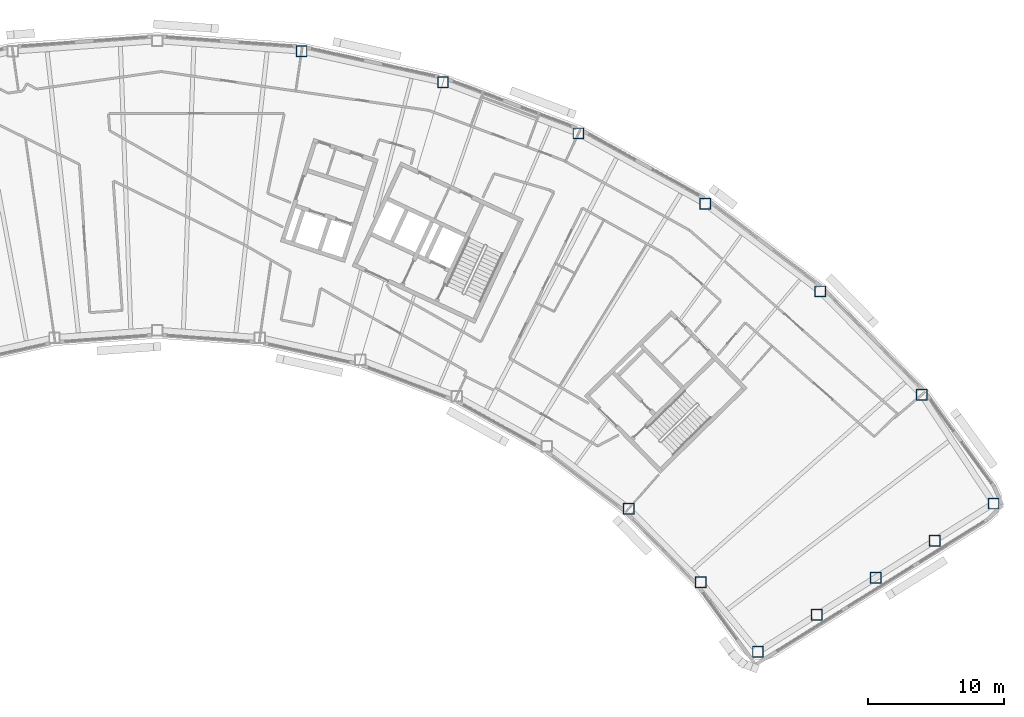
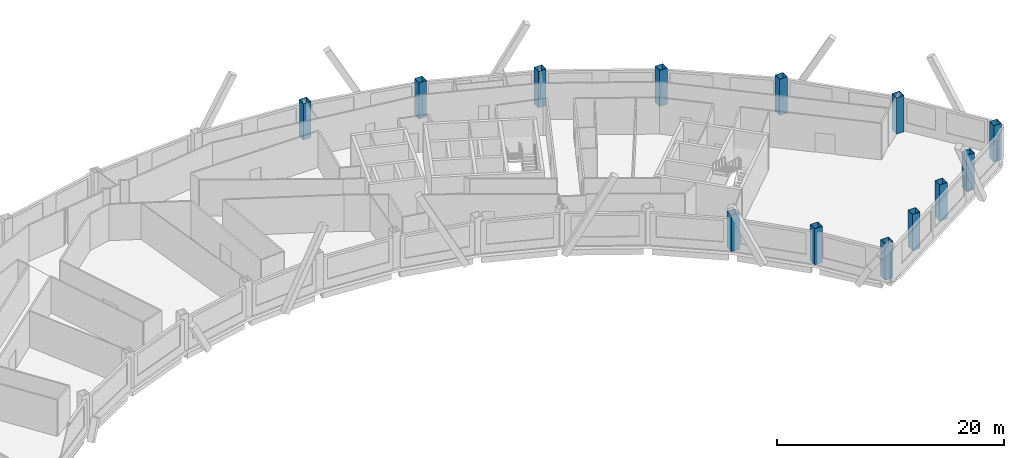
# One storey, part 2 of 14: 13 columns.
"""IFC4 building model written with IfcOpenShell, lengths in metres."""

import ifcopenshell
import ifcopenshell.guid

model = None  # the IFC model being written
_history = None  # IfcOwnerHistory: only IFC2X3 demands one
_inside = {}  # id of a spatial element -> (the spatial element, [elements in it])
_under = {}  # id of a project, library or spatial element -> (it, [spatial elements below it])
_declared = {}  # id of a project -> (the project, [libraries it declares])
_typed = {}  # id of a type object -> (the type object, [elements of that type])
_made_of = {}  # id of a material, layer set ... -> (it, [elements and type objects made of it])


def new_model(schema):
    """Start an empty IFC model of exactly this schema.

    Asked for "IFC4X3", IfcOpenShell would pick the latest addendum, in which some entities
    have other attributes; the version numbers below select the first issue.
    IFC2X3 requires an IfcOwnerHistory on every rooted entity: one is made here for all.
    """
    global model, _history
    if schema == "IFC4X3":
        model = ifcopenshell.file(schema_version=(4, 3, 0, 0))
    else:
        model = ifcopenshell.file(schema=schema)
    _inside.clear()
    _under.clear()
    _declared.clear()
    _typed.clear()
    _made_of.clear()
    _history = None
    if model.schema == "IFC2X3":
        org = make("IfcOrganization", Name="unknown")
        user = make(
            "IfcPersonAndOrganization",
            ThePerson=make("IfcPerson", FamilyName="unknown"),
            TheOrganization=org,
        )
        app = make(
            "IfcApplication",
            ApplicationDeveloper=org,
            Version="unknown",
            ApplicationFullName="unknown",
            ApplicationIdentifier="unknown",
        )
        _history = make(
            "IfcOwnerHistory",
            OwningUser=user,
            OwningApplication=app,
            ChangeAction="ADDED",
            CreationDate=0,
        )
    return model


def make(cls, **values):
    """One entity of the class cls with the attributes given. An attribute that is None is left unset."""
    return model.create_entity(
        cls, **{name: value for name, value in values.items() if value is not None}
    )


def rooted(cls, **values):
    """An entity with a GlobalId (a new one), such as an element, a storey or a relation."""
    return make(cls, GlobalId=ifcopenshell.guid.new(), OwnerHistory=_history, **values)


def si_unit(unit_type, name, prefix=None):
    """IfcSIUnit, for example si_unit("LENGTHUNIT", "METRE", prefix="MILLI")."""
    return make("IfcSIUnit", UnitType=unit_type, Prefix=prefix, Name=name)


def assignment(units):
    """IfcUnitAssignment: the units of a project."""
    return None if units is None else make("IfcUnitAssignment", Units=units)


def point(xyz):
    """IfcCartesianPoint."""
    return None if xyz is None else make("IfcCartesianPoint", Coordinates=xyz)


def direction(xyz):
    """IfcDirection."""
    return None if xyz is None else make("IfcDirection", DirectionRatios=xyz)


def frame(location, z_axis=None, x_axis=None):
    """IfcAxis2Placement3D, a coordinate frame: its origin and axes. An axis left out is left unset."""
    return make(
        "IfcAxis2Placement3D",
        Location=point(location),
        Axis=direction(z_axis),
        RefDirection=direction(x_axis),
    )


def frame_2d(location, x_axis=None):
    """IfcAxis2Placement2D, a coordinate frame in the plane: its origin and x axis."""
    return make(
        "IfcAxis2Placement2D", Location=point(location), RefDirection=direction(x_axis)
    )


def origin():
    """The frame at (0, 0, 0) with its axes left unset."""
    return frame((0.0, 0.0, 0.0))


def origin_2d():
    """The frame at (0, 0) in the plane with its x axis left unset."""
    return frame_2d((0.0, 0.0))


def place(relative_to, where):
    """IfcLocalPlacement: puts the frame where relative to a parent placement (None: the world)."""
    return make(
        "IfcLocalPlacement", PlacementRelTo=relative_to, RelativePlacement=where
    )


def context(
    kind, dimensions, precision=None, world=None, true_north=None, identifier=None
):
    """IfcGeometricRepresentationContext, for example the 3D "Model" context."""
    return make(
        "IfcGeometricRepresentationContext",
        ContextIdentifier=identifier,
        ContextType=kind,
        CoordinateSpaceDimension=dimensions,
        Precision=precision,
        WorldCoordinateSystem=world,
        TrueNorth=true_north,
    )


def subcontext(parent, identifier, kind, view, scale=None):
    """IfcGeometricRepresentationSubContext, for example "Body" below "Model"."""
    return make(
        "IfcGeometricRepresentationSubContext",
        ContextIdentifier=identifier,
        ContextType=kind,
        ParentContext=parent,
        TargetScale=scale,
        TargetView=view,
    )


def project(units=None, contexts=None):
    """IfcProject with its units and contexts."""
    return rooted(
        "IfcProject",
        Name="project",
        RepresentationContexts=contexts,
        UnitsInContext=assignment(units),
    )


def spatial(cls, under=None, at=None, **own):
    """A site, building, storey or space (cls), placed at a placement, below another one or the project."""
    s = rooted(cls, ObjectPlacement=at, **own)
    if under is not None:
        _under.setdefault(under.id(), (under, []))[1].append(s)
    return s


def profile(cls, at=None, kind="AREA", **sizes):
    """A parametric profile (cls). Its sizes go by their IFC names, for example OverallWidth=200.0."""
    return make(cls, ProfileType=kind, Position=at, **sizes)


def hollow_rectangle(**sizes):
    """IfcRectangleHollowProfileDef."""
    return profile("IfcRectangleHollowProfileDef", **sizes)


def extrude(swept, where, along, depth):
    """IfcExtrudedAreaSolid: the profile swept, set in the frame where, extruded along a direction by depth."""
    return make(
        "IfcExtrudedAreaSolid",
        SweptArea=swept,
        Position=where,
        ExtrudedDirection=direction(along),
        Depth=depth,
    )


def shape(context_of_items, identifier, shape_type, items):
    """IfcShapeRepresentation: the items that make up one representation, for example the "Body"."""
    return make(
        "IfcShapeRepresentation",
        ContextOfItems=context_of_items,
        RepresentationIdentifier=identifier,
        RepresentationType=shape_type,
        Items=items,
    )


def material(Name=None, Category=None):
    """IfcMaterial."""
    return make("IfcMaterial", Name=Name, Category=Category)


def material_profile(
    of_material, cross_section, Name=None, Category=None, Priority=None
):
    """IfcMaterialProfile: a cross section and its material."""
    return make(
        "IfcMaterialProfile",
        Name=Name,
        Material=of_material,
        Profile=cross_section,
        Priority=Priority,
        Category=Category,
    )


def profile_set(profiles, Name=None, composite=None):
    """IfcMaterialProfileSet."""
    return make(
        "IfcMaterialProfileSet",
        Name=Name,
        MaterialProfiles=profiles,
        CompositeProfile=composite,
    )


def made_of(thing, what):
    """Note that an element or type object is made of a material, layer set ...; save() writes the relation."""
    if what is not None:
        _made_of.setdefault(what.id(), (what, []))[1].append(thing)
    return thing


def type_object(cls, material=None, **own):
    """A type object (cls), such as IfcWallType, which elements share."""
    return made_of(rooted(cls, **own), material)


def element(
    cls,
    number,
    at=None,
    inside=None,
    cuts=None,
    type_object=None,
    material=None,
    context=None,
    identifier="Body",
    shape_type=None,
    held_by="IfcProductDefinitionShape",
    body=None,
    shapes=None,
    **own,
):
    """One element of the class cls, such as IfcWall. Its Tag is "e" and its number.

    at: its placement. inside: the storey or other place that contains it. cuts: it is an
    opening in that element (IfcRelVoidsElement). A single representation is given by context,
    identifier, shape_type and body (its items); several are given by shapes. held_by: the class
    of the entity that holds the representations. save() writes the other relations.
    """
    e = rooted(cls, Tag="e%d" % number, ObjectPlacement=at, **own)
    if body is not None:
        shapes = [shape(context, identifier, shape_type, body)]
    if shapes is not None:
        e.Representation = make(held_by, Representations=shapes)
    if inside is not None:
        _inside.setdefault(inside.id(), (inside, []))[1].append(e)
    if cuts is not None:
        rooted(
            "IfcRelVoidsElement", RelatingBuildingElement=cuts, RelatedOpeningElement=e
        )
    if type_object is not None:
        _typed.setdefault(type_object.id(), (type_object, []))[1].append(e)
    return made_of(e, material)


def aggregate(whole, parts):
    """IfcRelAggregates: a whole, such as a stair, and the parts it consists of."""
    return rooted("IfcRelAggregates", RelatingObject=whole, RelatedObjects=parts)


def save(model, path):
    """Write the relations noted so far, then the file.

    IfcRelAggregates (storeys below a building ...), IfcRelContainedInSpatialStructure (elements
    in a storey), IfcRelDefinesByType, IfcRelAssociatesMaterial and IfcRelDeclares: one each for
    every whole, place, type object, material and project.
    """
    for whole, parts in _under.values():
        aggregate(whole, parts)
    for where, things in _inside.values():
        rooted(
            "IfcRelContainedInSpatialStructure",
            RelatedElements=things,
            RelatingStructure=where,
        )
    for kind, things in _typed.values():
        rooted("IfcRelDefinesByType", RelatedObjects=things, RelatingType=kind)
    for what, things in _made_of.values():
        rooted("IfcRelAssociatesMaterial", RelatedObjects=things, RelatingMaterial=what)
    for by, libraries in _declared.values():
        rooted("IfcRelDeclares", RelatingContext=by, RelatedDefinitions=libraries)
    model.write(path)


model = new_model("IFC4")

# Units and contexts
model_context = context("Model", 3, precision=1e-05, world=origin(), true_north=direction((0.0, 1.0)))
body_context = subcontext(model_context, "Body", "Model", "MODEL_VIEW")
ifc_project = project(units=[si_unit("LENGTHUNIT", "METRE"), si_unit("AREAUNIT", "SQUARE_METRE"), si_unit("VOLUMEUNIT", "CUBIC_METRE"), si_unit("PLANEANGLEUNIT", "RADIAN"), si_unit("MASSUNIT", "GRAM", prefix="KILO")], contexts=[model_context])

# Site, building, storey
site_placement = place(None, origin())
site = spatial("IfcSite", under=ifc_project, at=site_placement, CompositionType="ELEMENT")
building_placement = place(site_placement, origin())
building = spatial("IfcBuilding", under=site, at=building_placement, Name="Tuul Gate Civic Tower", CompositionType="ELEMENT")
storey_placement = place(building_placement, frame((0.0, 0.0, 256.800048828125)))
storey = spatial("IfcBuildingStorey", under=building, at=storey_placement, Name="Level 58", CompositionType="ELEMENT", Elevation=256.800048828125)

# Columns
ifc_material = material(Name="Steel S355", Category="steel")
ifc_material_profile = material_profile(ifc_material, hollow_rectangle(XDim=0.800048828125, YDim=0.800048828125, WallThickness=0.031982421875, at=origin_2d()), Name="BOX800x800x32")
ifc_profile_set = profile_set([ifc_material_profile], Name="Steel S355")
column_type = type_object("IfcColumnType", Name="STR-COLUMN-BOX800x800x32", PredefinedType="COLUMN", material=ifc_profile_set)
for number, where, z_axis, x_axis, name in (
    (1, (72.701904296875, -20.654052734375, 0.0), (0.0, 0.0, 1.0), (1.0, 0.0, 0.0), "Column"),
    (2, (67.403076171875, -12.64208984375, 0.0), (0.0, 0.0, 1.0), (1.0, 0.0, 0.0), "Column"),
    (3, (59.927978515625, -5.01708984375, 0.0), (0.0, 0.0, 1.0), (1.0, 0.0, 0.0), "Column"),
    (4, (51.43310546875, 1.451904296875, 0.0), (0.0, 0.0, 1.0), (1.0, 0.0, 0.0), "Column"),
    (5, (42.094970703125, 6.6279296875, 0.0), (0.0, 0.0, 1.0), (1.0, 0.0, 0.0), "Column"),
    (6, (32.10791015625, 10.405029296875, 0.0), (0.0, 0.0, 1.0), (1.0, 0.0, 0.0), "Column"),
    (7, (21.679931640625, 12.702880859375, 0.0), (0.0, 0.0, 1.0), (1.0, 0.0, 0.0), "Column"),
    (8, (45.798095703125, -21.029052734375, 0.0), (0.0, 0.0, 1.0), (1.0, 0.0, 0.0), "Column"),
    (9, (51.112060546875, -26.449951171875, 0.0), (0.0, 0.0, 1.0), (1.0, 0.0, 0.0), "Column"),
    (10, (55.33203125, -31.592041015625, 0.0), (0.0, 0.0, 1.0), (1.0, 0.0, 0.0), "Column"),
    (11, (59.674072265625, -28.85791015625, 0.0), (0.0, 0.0, 1.0), (1.0, 0.0, 0.0), "Column"),
    (12, (64.01708984375, -26.123046875, 0.0), (0.0, 0.0, 1.0), (1.0, 0.0, 0.0), "Column"),
    (13, (68.35888671875, -23.388916015625, 0.0), (0.0, 0.0, 1.0), (1.0, 0.0, 0.0), "Column"),
):
    element("IfcColumn", number, at=place(storey_placement, frame(where, z_axis=z_axis, x_axis=x_axis)), inside=storey, type_object=column_type, Name=name, PredefinedType="COLUMN", context=body_context, shape_type="SweptSolid", body=[
        extrude(hollow_rectangle(XDim=0.800048828125, YDim=0.800048828125, WallThickness=0.031982421875, at=origin_2d()), origin(), (0.0, 0.0, 1.0), 3.89990234375),
    ])

save(model, "model.ifc")
